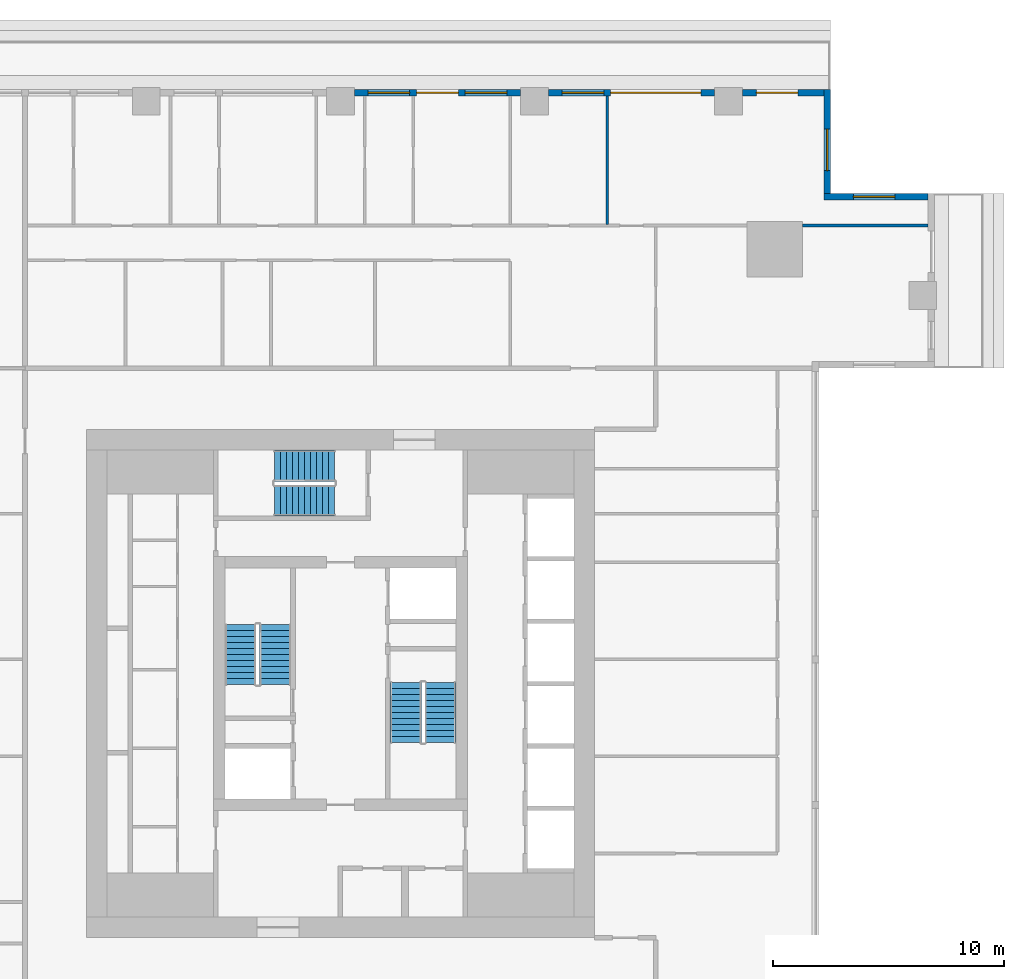
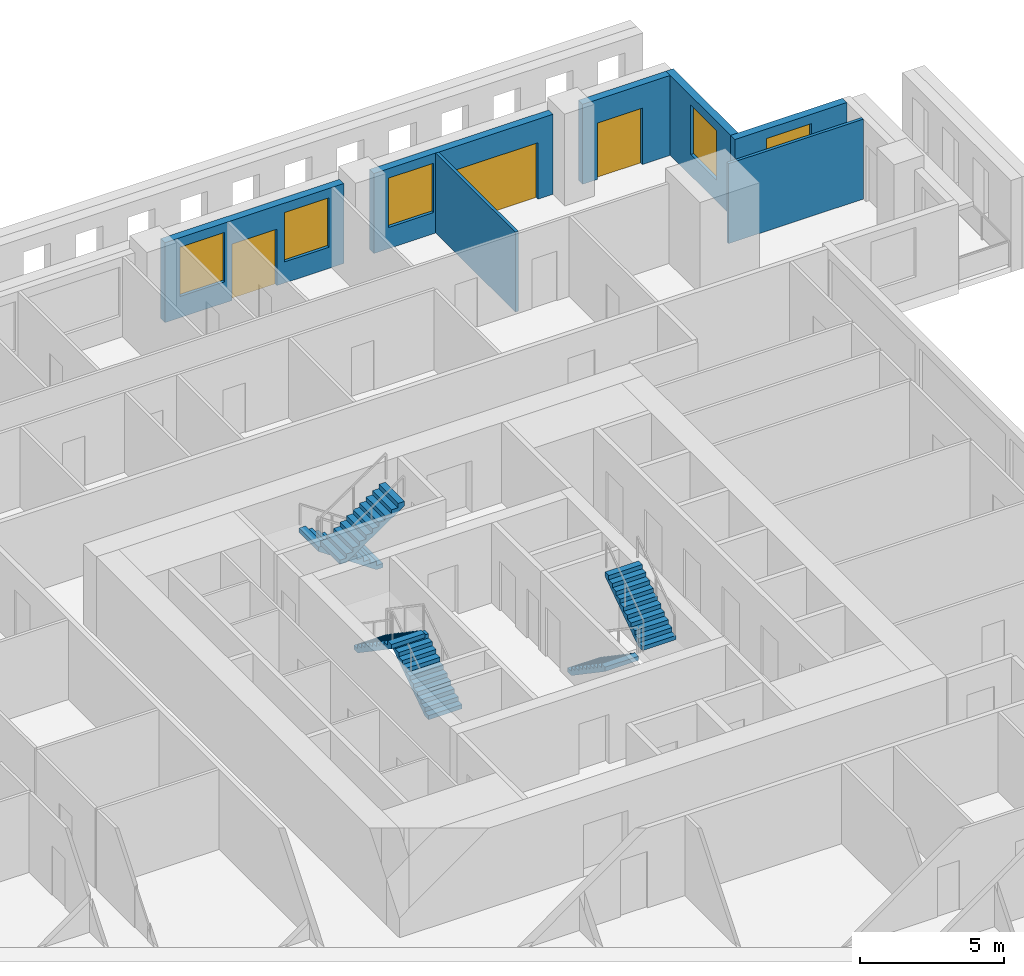
# One storey, part 9 of 15: 7 walls, 6 stair flights, 5 windows, 3 doors, 8 openings, 3 elements without a shape of their own.
"""IFC4 building model written with IfcOpenShell, lengths in metres."""

from ifc_helpers import new_model, si_unit, direction, frame, frame_2d, origin, place, context, subcontext, project, spatial, polyline, rectangle, outline, extrude, material, layer, layer_set, type_object, element, fill, aggregate, save


model = new_model("IFC4")

# Units and contexts
model_context = context("Model", 3, precision=1e-05, world=origin(), true_north=direction((0.0, 1.0)))
body_context = subcontext(model_context, "Body", "Model", "MODEL_VIEW")
ifc_project = project(units=[si_unit("LENGTHUNIT", "METRE"), si_unit("AREAUNIT", "SQUARE_METRE"), si_unit("VOLUMEUNIT", "CUBIC_METRE"), si_unit("PLANEANGLEUNIT", "RADIAN"), si_unit("MASSUNIT", "GRAM", prefix="KILO")], contexts=[model_context])

# Site, building, storey
site_placement = place(None, origin())
site = spatial("IfcSite", under=ifc_project, at=site_placement, CompositionType="ELEMENT")
building_placement = place(site_placement, origin())
building = spatial("IfcBuilding", under=site, at=building_placement, Name="Khepri Terraces", CompositionType="ELEMENT")
storey_placement = place(building_placement, frame((0.0, 0.0, 231.300048828125)))
storey = spatial("IfcBuildingStorey", under=building, at=storey_placement, Name="L55", CompositionType="ELEMENT", Elevation=231.300048828125)

# Wall, opening, window
ifc_material_1 = material(Name="Precast concrete C50/60 warm stone", Category="masonry")
ifc_layer_1 = layer(ifc_material_1, 0.300048828125, Name="Precast concrete C50/60 warm stone", Category="masonry")
ifc_layer_set_1 = layer_set([ifc_layer_1], Name="Precast concrete C50/60 warm stone")
wall_type_1 = type_object("IfcWallType", Name="WL-EXT-PRECAST-300", PredefinedType="STANDARD", material=ifc_layer_set_1)
wall_1_placement = place(storey_placement, frame((25.419921875, 21.070068359375, 0.0), z_axis=(0.0, 0.0, 1.0), x_axis=(-1.0, 0.0, 0.0)))
wall_1 = element("IfcWall", 1, at=wall_1_placement, inside=storey, type_object=wall_type_1, Name="External wall L55 N", PredefinedType="STANDARD", context=body_context, shape_type="SweptSolid", body=[
    extrude(rectangle(XDim=4.5, YDim=0.300048828125, at=frame_2d((2.25, 0.0))), origin(), (0.0, 0.0, 1.0), 3.39990234375),
])
opening_1_placement = place(wall_1_placement, frame((1.419921875, 0.0, 0.89990234375)))
opening_1 = element("IfcOpeningElement", 2, at=opening_1_placement, cuts=wall_1, Name="Opening W1", PredefinedType="OPENING", context=body_context, shape_type="SweptSolid", body=[
    extrude(rectangle(XDim=1.800048828125, YDim=2.10009765625, at=frame_2d((0.89990234375, 1.050048828125))), frame((0.0, 0.16015625, 0.0), z_axis=(0.0, -1.0, 0.0), x_axis=(1.0, 0.0, 0.0)), (0.0, 0.0, 1.0), 0.320068359375),
])
ifc_material_2 = material(Name="Clear glass", Category="glass")
window_type = type_object("IfcWindowType", Name="WIN-RES-1800x2100", PartitioningType="SINGLE_PANEL", PredefinedType="WINDOW", material=ifc_material_2)
window_1_placement = place(opening_1_placement, origin())
window_1 = element("IfcWindow", 3, at=window_1_placement, inside=storey, type_object=window_type, Name="Window L55 N", OverallHeight=2.10009765625, OverallWidth=1.800048828125, PartitioningType="SINGLE_PANEL", PredefinedType="WINDOW", context=body_context, shape_type="SweptSolid", body=[
    extrude(rectangle(XDim=1.800048828125, YDim=2.10009765625, at=frame_2d((0.89990234375, 1.050048828125))), frame((0.0, 0.030029296875, 0.0), z_axis=(0.0, -1.0, 0.0), x_axis=(1.0, 0.0, 0.0)), (0.0, 0.0, 1.0), 0.06005859375),
])
fill(opening_1, window_1)

wall_2_placement = place(storey_placement, frame((21.070068359375, 21.219970703125, 0.0), z_axis=(0.0, 0.0, 1.0), x_axis=(0.0, 1.0, 0.0)))
wall_2 = element("IfcWall", 4, at=wall_2_placement, inside=storey, type_object=wall_type_1, Name="External wall L55 E", PredefinedType="STANDARD", context=body_context, shape_type="SweptSolid", body=[
    extrude(rectangle(XDim=4.5, YDim=0.300048828125, at=frame_2d((2.25, 0.0))), origin(), (0.0, 0.0, 1.0), 3.39990234375),
])
opening_2_placement = place(wall_2_placement, frame((0.97998046875, 0.0, 0.89990234375)))
opening_2 = element("IfcOpeningElement", 5, at=opening_2_placement, cuts=wall_2, Name="Opening W1", PredefinedType="OPENING", context=body_context, shape_type="SweptSolid", body=[
    extrude(rectangle(XDim=1.800048828125, YDim=2.10009765625, at=frame_2d((0.89990234375, 1.050048828125))), frame((0.0, 0.16015625, 0.0), z_axis=(0.0, -1.0, 0.0), x_axis=(1.0, 0.0, 0.0)), (0.0, 0.0, 1.0), 0.320068359375),
])
window_2_placement = place(opening_2_placement, origin())
window_2 = element("IfcWindow", 6, at=window_2_placement, inside=storey, type_object=window_type, Name="Window L55 E", OverallHeight=2.10009765625, OverallWidth=1.800048828125, PartitioningType="SINGLE_PANEL", PredefinedType="WINDOW", context=body_context, shape_type="SweptSolid", body=[
    extrude(rectangle(XDim=1.800048828125, YDim=2.10009765625, at=frame_2d((0.89990234375, 1.050048828125))), frame((0.0, 0.030029296875, 0.0), z_axis=(0.0, -1.0, 0.0), x_axis=(1.0, 0.0, 0.0)), (0.0, 0.0, 1.0), 0.06005859375),
])
fill(opening_2, window_2)

# Wall, opening, door
wall_3_placement = place(storey_placement, frame((20.919921875, 25.570068359375, 0.0), z_axis=(0.0, 0.0, 1.0), x_axis=(-1.0, 0.0, 0.0)))
wall_3 = element("IfcWall", 7, at=wall_3_placement, inside=storey, type_object=wall_type_1, Name="External wall L55 N", PredefinedType="STANDARD", context=body_context, shape_type="SweptSolid", body=[
    extrude(rectangle(XDim=3.52001953125, YDim=0.300048828125, at=frame_2d((1.760009765625, 0.0))), origin(), (0.0, 0.0, 1.0), 3.39990234375),
])
opening_3_placement = place(wall_3_placement, frame((1.1201171875, 0.0, 0.0)))
opening_3 = element("IfcOpeningElement", 8, at=opening_3_placement, cuts=wall_3, Name="Opening ED-L55-04", PredefinedType="OPENING", context=body_context, shape_type="SweptSolid", body=[
    extrude(rectangle(XDim=1.800048828125, YDim=2.39990234375, at=frame_2d((0.89990234375, 1.199951171875))), frame((0.0, 0.16015625, 0.0), z_axis=(0.0, -1.0, 0.0), x_axis=(1.0, 0.0, 0.0)), (0.0, 0.0, 1.0), 0.320068359375),
])
ifc_material_3 = material(Name="Anodised aluminium bronze glazed door", Category="aluminium")
door_type_1 = type_object("IfcDoorType", Name="DR-BAL-SLIDE-1800x2400", OperationType="NOTDEFINED", PredefinedType="DOOR", material=ifc_material_3)
door_1_placement = place(opening_3_placement, origin())
door_1 = element("IfcDoor", 9, at=door_1_placement, inside=storey, type_object=door_type_1, Name="Balcony door L55 N", OperationType="SLIDING_TO_RIGHT", OverallHeight=2.39990234375, OverallWidth=1.800048828125, PredefinedType="DOOR", context=body_context, shape_type="SweptSolid", body=[
    extrude(rectangle(XDim=1.800048828125, YDim=2.39990234375, at=frame_2d((0.89990234375, 1.199951171875))), frame((0.0, 0.02490234375, 0.0), z_axis=(0.0, -1.0, 0.0), x_axis=(1.0, 0.0, 0.0)), (0.0, 0.0, 1.0), 0.050048828125),
])
fill(opening_3, door_1)

# Wall, openings, door, window
wall_4_placement = place(storey_placement, frame((16.199951171875, 25.570068359375, 0.0), z_axis=(0.0, 0.0, 1.0), x_axis=(-1.0, 0.0, 0.0)))
wall_4 = element("IfcWall", 10, at=wall_4_placement, inside=storey, type_object=wall_type_1, Name="External wall L55 N", PredefinedType="STANDARD", context=body_context, shape_type="SweptSolid", body=[
    extrude(rectangle(XDim=7.199951171875, YDim=0.300048828125, at=frame_2d((3.60009765625, 0.0))), origin(), (0.0, 0.0, 1.0), 3.39990234375),
])
opening_4_placement = place(wall_4_placement, frame((0.60009765625, 0.0, 0.0)))
opening_4 = element("IfcOpeningElement", 11, at=opening_4_placement, cuts=wall_4, Name="Opening ED-L55-05", PredefinedType="OPENING", context=body_context, shape_type="SweptSolid", body=[
    extrude(rectangle(XDim=3.89990234375, YDim=2.39990234375, at=frame_2d((1.949951171875, 1.199951171875))), frame((0.0, 0.16015625, 0.0), z_axis=(0.0, -1.0, 0.0), x_axis=(1.0, 0.0, 0.0)), (0.0, 0.0, 1.0), 0.320068359375),
])
opening_5_placement = place(wall_4_placement, frame((4.800048828125, 0.0, 0.89990234375)))
opening_5 = element("IfcOpeningElement", 12, at=opening_5_placement, cuts=wall_4, Name="Opening W1", PredefinedType="OPENING", context=body_context, shape_type="SweptSolid", body=[
    extrude(rectangle(XDim=1.800048828125, YDim=2.10009765625, at=frame_2d((0.89990234375, 1.050048828125))), frame((0.0, 0.16015625, 0.0), z_axis=(0.0, -1.0, 0.0), x_axis=(1.0, 0.0, 0.0)), (0.0, 0.0, 1.0), 0.320068359375),
])
door_type_2 = type_object("IfcDoorType", Name="DR-BAL-SLIDE-3900x2400", OperationType="NOTDEFINED", PredefinedType="DOOR", material=ifc_material_3)
door_2_placement = place(opening_4_placement, origin())
door_2 = element("IfcDoor", 13, at=door_2_placement, inside=storey, type_object=door_type_2, Name="Balcony door L55 N", OperationType="SLIDING_TO_LEFT", OverallHeight=2.39990234375, OverallWidth=3.89990234375, PredefinedType="DOOR", context=body_context, shape_type="SweptSolid", body=[
    extrude(rectangle(XDim=3.89990234375, YDim=2.39990234375, at=frame_2d((1.949951171875, 1.199951171875))), frame((0.0, 0.02490234375, 0.0), z_axis=(0.0, -1.0, 0.0), x_axis=(1.0, 0.0, 0.0)), (0.0, 0.0, 1.0), 0.050048828125),
])
fill(opening_4, door_2)
window_3_placement = place(opening_5_placement, origin())
window_3 = element("IfcWindow", 14, at=window_3_placement, inside=storey, type_object=window_type, Name="Window L55 N", OverallHeight=2.10009765625, OverallWidth=1.800048828125, PartitioningType="SINGLE_PANEL", PredefinedType="WINDOW", context=body_context, shape_type="SweptSolid", body=[
    extrude(rectangle(XDim=1.800048828125, YDim=2.10009765625, at=frame_2d((0.89990234375, 1.050048828125))), frame((0.0, 0.030029296875, 0.0), z_axis=(0.0, -1.0, 0.0), x_axis=(1.0, 0.0, 0.0)), (0.0, 0.0, 1.0), 0.06005859375),
])
fill(opening_5, window_3)

# Wall, openings, door, windows
wall_5_placement = place(storey_placement, frame((7.800048828125, 25.570068359375, 0.0), z_axis=(0.0, 0.0, 1.0), x_axis=(-1.0, 0.0, 0.0)))
wall_5 = element("IfcWall", 15, at=wall_5_placement, inside=storey, type_object=wall_type_1, Name="External wall L55 N", PredefinedType="STANDARD", context=body_context, shape_type="SweptSolid", body=[
    extrude(rectangle(XDim=7.199951171875, YDim=0.300048828125, at=frame_2d((3.60009765625, 0.0))), origin(), (0.0, 0.0, 1.0), 3.39990234375),
])
opening_6_placement = place(wall_5_placement, frame((0.60009765625, 0.0, 0.89990234375)))
opening_6 = element("IfcOpeningElement", 16, at=opening_6_placement, cuts=wall_5, Name="Opening W1", PredefinedType="OPENING", context=body_context, shape_type="SweptSolid", body=[
    extrude(rectangle(XDim=1.800048828125, YDim=2.10009765625, at=frame_2d((0.89990234375, 1.050048828125))), frame((0.0, 0.16015625, 0.0), z_axis=(0.0, -1.0, 0.0), x_axis=(1.0, 0.0, 0.0)), (0.0, 0.0, 1.0), 0.320068359375),
])
opening_7_placement = place(wall_5_placement, frame((2.699951171875, 0.0, 0.0)))
opening_7 = element("IfcOpeningElement", 17, at=opening_7_placement, cuts=wall_5, Name="Opening ED-L55-06", PredefinedType="OPENING", context=body_context, shape_type="SweptSolid", body=[
    extrude(rectangle(XDim=1.800048828125, YDim=2.39990234375, at=frame_2d((0.89990234375, 1.199951171875))), frame((0.0, 0.16015625, 0.0), z_axis=(0.0, -1.0, 0.0), x_axis=(1.0, 0.0, 0.0)), (0.0, 0.0, 1.0), 0.320068359375),
])
opening_8_placement = place(wall_5_placement, frame((4.800048828125, 0.0, 0.89990234375)))
opening_8 = element("IfcOpeningElement", 18, at=opening_8_placement, cuts=wall_5, Name="Opening W1", PredefinedType="OPENING", context=body_context, shape_type="SweptSolid", body=[
    extrude(rectangle(XDim=1.800048828125, YDim=2.10009765625, at=frame_2d((0.89990234375, 1.050048828125))), frame((0.0, 0.16015625, 0.0), z_axis=(0.0, -1.0, 0.0), x_axis=(1.0, 0.0, 0.0)), (0.0, 0.0, 1.0), 0.320068359375),
])
door_3_placement = place(opening_7_placement, origin())
door_3 = element("IfcDoor", 19, at=door_3_placement, inside=storey, type_object=door_type_1, Name="Balcony door L55 N", OperationType="SLIDING_TO_LEFT", OverallHeight=2.39990234375, OverallWidth=1.800048828125, PredefinedType="DOOR", context=body_context, shape_type="SweptSolid", body=[
    extrude(rectangle(XDim=1.800048828125, YDim=2.39990234375, at=frame_2d((0.89990234375, 1.199951171875))), frame((0.0, 0.02490234375, 0.0), z_axis=(0.0, -1.0, 0.0), x_axis=(1.0, 0.0, 0.0)), (0.0, 0.0, 1.0), 0.050048828125),
])
fill(opening_7, door_3)
window_4_placement = place(opening_6_placement, origin())
window_4 = element("IfcWindow", 20, at=window_4_placement, inside=storey, type_object=window_type, Name="Window L55 N", OverallHeight=2.10009765625, OverallWidth=1.800048828125, PartitioningType="SINGLE_PANEL", PredefinedType="WINDOW", context=body_context, shape_type="SweptSolid", body=[
    extrude(rectangle(XDim=1.800048828125, YDim=2.10009765625, at=frame_2d((0.89990234375, 1.050048828125))), frame((0.0, 0.030029296875, 0.0), z_axis=(0.0, -1.0, 0.0), x_axis=(1.0, 0.0, 0.0)), (0.0, 0.0, 1.0), 0.06005859375),
])
fill(opening_6, window_4)
window_5_placement = place(opening_8_placement, origin())
window_5 = element("IfcWindow", 21, at=window_5_placement, inside=storey, type_object=window_type, Name="Window L55 N", OverallHeight=2.10009765625, OverallWidth=1.800048828125, PartitioningType="SINGLE_PANEL", PredefinedType="WINDOW", context=body_context, shape_type="SweptSolid", body=[
    extrude(rectangle(XDim=1.800048828125, YDim=2.10009765625, at=frame_2d((0.89990234375, 1.050048828125))), frame((0.0, 0.030029296875, 0.0), z_axis=(0.0, -1.0, 0.0), x_axis=(1.0, 0.0, 0.0)), (0.0, 0.0, 1.0), 0.06005859375),
])
fill(opening_8, window_5)

# Walls
ifc_material_4 = material(Name="Gypsum plasterboard partition")
ifc_layer_2 = layer(ifc_material_4, 0.1201171875, Name="Gypsum plasterboard partition")
ifc_layer_set_2 = layer_set([ifc_layer_2], Name="Gypsum plasterboard partition")
wall_type_2 = type_object("IfcWallType", Name="WL-PART-120", PredefinedType="PARTITIONING", material=ifc_layer_set_2)
wall_6_placement = place(storey_placement, frame((20.0, 19.820068359375, 0.0), z_axis=(0.0, 0.0, 1.0), x_axis=(1.0, 0.0, 0.0)))
element("IfcWall", 22, at=wall_6_placement, inside=storey, type_object=wall_type_2, Name="Partition P-080 L55", PredefinedType="PARTITIONING", context=body_context, shape_type="SweptSolid", body=[
    extrude(rectangle(XDim=5.419921875, YDim=0.1201171875, at=frame_2d((2.7099609375, 0.0))), origin(), (0.0, 0.0, 1.0), 3.39990234375),
])
wall_7_placement = place(storey_placement, frame((11.550048828125, 19.8798828125, 0.0), z_axis=(0.0, 0.0, 1.0), x_axis=(0.0, 1.0, 0.0)))
element("IfcWall", 23, at=wall_7_placement, inside=storey, type_object=wall_type_2, Name="Partition P-088 L55", PredefinedType="PARTITIONING", context=body_context, shape_type="SweptSolid", body=[
    extrude(rectangle(XDim=5.5400390625, YDim=0.1201171875, at=frame_2d((2.77001953125, 0.0))), origin(), (0.0, 0.0, 1.0), 3.39990234375),
])

# Stair, stair flights
ifc_material_5 = material(Name="Concrete C40/50", Category="concrete")
stair_type = type_object("IfcStairType", Name="STAIR-RC-22R", PredefinedType="HALF_TURN_STAIR", material=ifc_material_5)
stair_1_placement = place(storey_placement, origin())
stair_1 = element("IfcStair", 24, at=stair_1_placement, inside=storey, type_object=stair_type, Name="L55 Exit Stair ST-1", PredefinedType="HALF_TURN_STAIR")
stair_flight_type = type_object("IfcStairFlightType", Name="SFL-RC-177.3", PredefinedType="STRAIGHT", material=ifc_material_5)
stair_flight_1_placement = place(storey_placement, frame((-2.824951171875, -0.050048828125, 0.0), z_axis=(0.0, 0.0, 1.0), x_axis=(0.0, 1.0, 0.0)))
stair_flight_1 = element("IfcStairFlight", 25, at=stair_flight_1_placement, type_object=stair_flight_type, Name="ST-1 flight 1", NumberOfRisers=11, NumberOfTreads=10, PredefinedType="STRAIGHT", RiserHeight=0.177272727, TreadLength=0.26, context=body_context, shape_type="SweptSolid", body=[
    extrude(outline(polyline([(0.0, 0.0), (0.0, 0.17724609375), (0.260009765625, 0.17724609375), (0.260009765625, 0.3544921875), (0.52001953125, 0.3544921875), (0.52001953125, 0.53173828125), (0.780029296875, 0.53173828125), (0.780029296875, 0.708984375), (1.0400390625, 0.708984375), (1.0400390625, 0.886474609375), (1.300048828125, 0.886474609375), (1.300048828125, 1.063720703125), (1.56005859375, 1.063720703125), (1.56005859375, 1.240966796875), (1.820068359375, 1.240966796875), (1.820068359375, 1.418212890625), (2.080078125, 1.418212890625), (2.080078125, 1.595458984375), (2.340087890625, 1.595458984375), (2.340087890625, 1.772705078125), (2.60009765625, 1.772705078125), (2.60009765625, 1.949951171875), (2.60009765625, 1.59130859375), (0.26611328125, 0.0), (0.0, 0.0)])), frame((0.0, 0.675048828125, 0.0), z_axis=(0.0, -1.0, 0.0), x_axis=(1.0, 0.0, 0.0)), (0.0, 0.0, 1.0), 1.35009765625),
])
stair_flight_2_placement = place(storey_placement, frame((-4.324951171875, 2.550048828125, 1.949951171875), z_axis=(0.0, 0.0, 1.0), x_axis=(0.0, -1.0, 0.0)))
stair_flight_2 = element("IfcStairFlight", 26, at=stair_flight_2_placement, type_object=stair_flight_type, Name="ST-1 flight 2", NumberOfRisers=11, NumberOfTreads=10, PredefinedType="STRAIGHT", RiserHeight=0.177272727, TreadLength=0.26, context=body_context, shape_type="SweptSolid", body=[
    extrude(outline(polyline([(0.0, 0.0), (0.0, 0.17724609375), (0.260009765625, 0.17724609375), (0.260009765625, 0.3544921875), (0.52001953125, 0.3544921875), (0.52001953125, 0.53173828125), (0.780029296875, 0.53173828125), (0.780029296875, 0.708984375), (1.0400390625, 0.708984375), (1.0400390625, 0.886474609375), (1.300048828125, 0.886474609375), (1.300048828125, 1.063720703125), (1.56005859375, 1.063720703125), (1.56005859375, 1.240966796875), (1.820068359375, 1.240966796875), (1.820068359375, 1.418212890625), (2.080078125, 1.418212890625), (2.080078125, 1.595458984375), (2.340087890625, 1.595458984375), (2.340087890625, 1.772705078125), (2.60009765625, 1.772705078125), (2.60009765625, 1.949951171875), (2.60009765625, 1.59130859375), (0.26611328125, 0.0), (0.0, 0.0)])), frame((0.0, 0.675048828125, 0.0), z_axis=(0.0, -1.0, 0.0), x_axis=(1.0, 0.0, 0.0)), (0.0, 0.0, 1.0), 1.35009765625),
])
aggregate(stair_1, [stair_flight_1, stair_flight_2])

stair_2_placement = place(storey_placement, origin())
stair_2 = element("IfcStair", 27, at=stair_2_placement, inside=storey, type_object=stair_type, Name="L55 Exit Stair ST-2", PredefinedType="HALF_TURN_STAIR")
stair_flight_3_placement = place(storey_placement, frame((2.824951171875, 0.050048828125, 0.0), z_axis=(0.0, 0.0, 1.0), x_axis=(0.0, -1.0, 0.0)))
stair_flight_3 = element("IfcStairFlight", 28, at=stair_flight_3_placement, type_object=stair_flight_type, Name="ST-2 flight 1", NumberOfRisers=11, NumberOfTreads=10, PredefinedType="STRAIGHT", RiserHeight=0.177272727, TreadLength=0.26, context=body_context, shape_type="SweptSolid", body=[
    extrude(outline(polyline([(0.0, 0.0), (0.0, 0.17724609375), (0.260009765625, 0.17724609375), (0.260009765625, 0.3544921875), (0.52001953125, 0.3544921875), (0.52001953125, 0.53173828125), (0.780029296875, 0.53173828125), (0.780029296875, 0.708984375), (1.0400390625, 0.708984375), (1.0400390625, 0.886474609375), (1.300048828125, 0.886474609375), (1.300048828125, 1.063720703125), (1.56005859375, 1.063720703125), (1.56005859375, 1.240966796875), (1.820068359375, 1.240966796875), (1.820068359375, 1.418212890625), (2.080078125, 1.418212890625), (2.080078125, 1.595458984375), (2.340087890625, 1.595458984375), (2.340087890625, 1.772705078125), (2.60009765625, 1.772705078125), (2.60009765625, 1.949951171875), (2.60009765625, 1.59130859375), (0.26611328125, 0.0), (0.0, 0.0)])), frame((0.0, 0.675048828125, 0.0), z_axis=(0.0, -1.0, 0.0), x_axis=(1.0, 0.0, 0.0)), (0.0, 0.0, 1.0), 1.35009765625),
])
stair_flight_4_placement = place(storey_placement, frame((4.324951171875, -2.550048828125, 1.949951171875), z_axis=(0.0, 0.0, 1.0), x_axis=(0.0, 1.0, 0.0)))
stair_flight_4 = element("IfcStairFlight", 29, at=stair_flight_4_placement, type_object=stair_flight_type, Name="ST-2 flight 2", NumberOfRisers=11, NumberOfTreads=10, PredefinedType="STRAIGHT", RiserHeight=0.177272727, TreadLength=0.26, context=body_context, shape_type="SweptSolid", body=[
    extrude(outline(polyline([(0.0, 0.0), (0.0, 0.17724609375), (0.260009765625, 0.17724609375), (0.260009765625, 0.3544921875), (0.52001953125, 0.3544921875), (0.52001953125, 0.53173828125), (0.780029296875, 0.53173828125), (0.780029296875, 0.708984375), (1.0400390625, 0.708984375), (1.0400390625, 0.886474609375), (1.300048828125, 0.886474609375), (1.300048828125, 1.063720703125), (1.56005859375, 1.063720703125), (1.56005859375, 1.240966796875), (1.820068359375, 1.240966796875), (1.820068359375, 1.418212890625), (2.080078125, 1.418212890625), (2.080078125, 1.595458984375), (2.340087890625, 1.595458984375), (2.340087890625, 1.772705078125), (2.60009765625, 1.772705078125), (2.60009765625, 1.949951171875), (2.60009765625, 1.59130859375), (0.26611328125, 0.0), (0.0, 0.0)])), frame((0.0, 0.675048828125, 0.0), z_axis=(0.0, -1.0, 0.0), x_axis=(1.0, 0.0, 0.0)), (0.0, 0.0, 1.0), 1.35009765625),
])
aggregate(stair_2, [stair_flight_3, stair_flight_4])

stair_3_placement = place(storey_placement, origin())
stair_3 = element("IfcStair", 30, at=stair_3_placement, inside=storey, type_object=stair_type, Name="L55 Exit Stair ST-3", PredefinedType="HALF_TURN_STAIR")
stair_flight_5_placement = place(storey_placement, frame((-0.25, 9.425048828125, 0.0), z_axis=(0.0, 0.0, 1.0), x_axis=(-1.0, 0.0, 0.0)))
stair_flight_5 = element("IfcStairFlight", 31, at=stair_flight_5_placement, type_object=stair_flight_type, Name="ST-3 flight 1", NumberOfRisers=11, NumberOfTreads=10, PredefinedType="STRAIGHT", RiserHeight=0.177272727, TreadLength=0.26, context=body_context, shape_type="SweptSolid", body=[
    extrude(outline(polyline([(0.0, 0.0), (0.0, 0.17724609375), (0.260009765625, 0.17724609375), (0.260009765625, 0.3544921875), (0.52001953125, 0.3544921875), (0.52001953125, 0.53173828125), (0.780029296875, 0.53173828125), (0.780029296875, 0.708984375), (1.0400390625, 0.708984375), (1.0400390625, 0.886474609375), (1.300048828125, 0.886474609375), (1.300048828125, 1.063720703125), (1.56005859375, 1.063720703125), (1.56005859375, 1.240966796875), (1.820068359375, 1.240966796875), (1.820068359375, 1.418212890625), (2.080078125, 1.418212890625), (2.080078125, 1.595458984375), (2.340087890625, 1.595458984375), (2.340087890625, 1.772705078125), (2.60009765625, 1.772705078125), (2.60009765625, 1.949951171875), (2.60009765625, 1.59130859375), (0.26611328125, 0.0), (0.0, 0.0)])), frame((0.0, 0.675048828125, 0.0), z_axis=(0.0, -1.0, 0.0), x_axis=(1.0, 0.0, 0.0)), (0.0, 0.0, 1.0), 1.35009765625),
])
stair_flight_6_placement = place(storey_placement, frame((-2.85009765625, 7.925048828125, 1.949951171875), z_axis=(0.0, 0.0, 1.0), x_axis=(1.0, 0.0, 0.0)))
stair_flight_6 = element("IfcStairFlight", 32, at=stair_flight_6_placement, type_object=stair_flight_type, Name="ST-3 flight 2", NumberOfRisers=11, NumberOfTreads=10, PredefinedType="STRAIGHT", RiserHeight=0.177272727, TreadLength=0.26, context=body_context, shape_type="SweptSolid", body=[
    extrude(outline(polyline([(0.0, 0.0), (0.0, 0.17724609375), (0.260009765625, 0.17724609375), (0.260009765625, 0.3544921875), (0.52001953125, 0.3544921875), (0.52001953125, 0.53173828125), (0.780029296875, 0.53173828125), (0.780029296875, 0.708984375), (1.0400390625, 0.708984375), (1.0400390625, 0.886474609375), (1.300048828125, 0.886474609375), (1.300048828125, 1.063720703125), (1.56005859375, 1.063720703125), (1.56005859375, 1.240966796875), (1.820068359375, 1.240966796875), (1.820068359375, 1.418212890625), (2.080078125, 1.418212890625), (2.080078125, 1.595458984375), (2.340087890625, 1.595458984375), (2.340087890625, 1.772705078125), (2.60009765625, 1.772705078125), (2.60009765625, 1.949951171875), (2.60009765625, 1.59130859375), (0.26611328125, 0.0), (0.0, 0.0)])), frame((0.0, 0.675048828125, 0.0), z_axis=(0.0, -1.0, 0.0), x_axis=(1.0, 0.0, 0.0)), (0.0, 0.0, 1.0), 1.35009765625),
])
aggregate(stair_3, [stair_flight_5, stair_flight_6])

save(model, "model.ifc")
